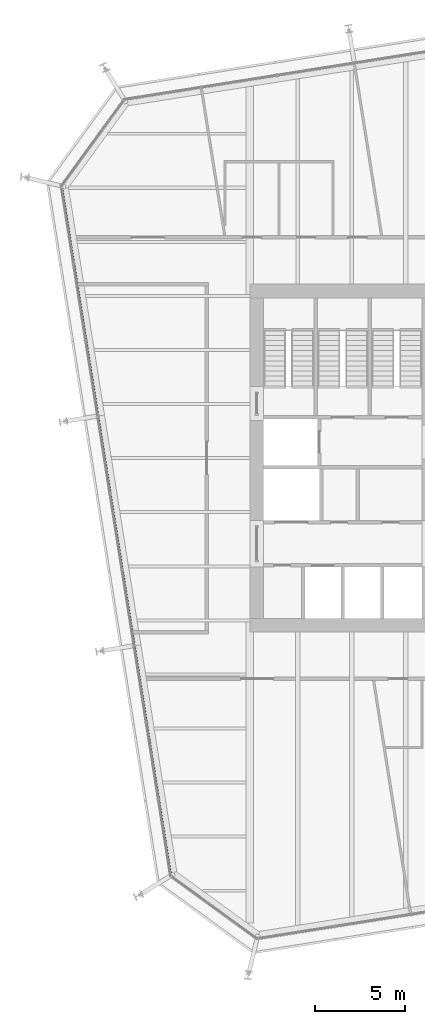
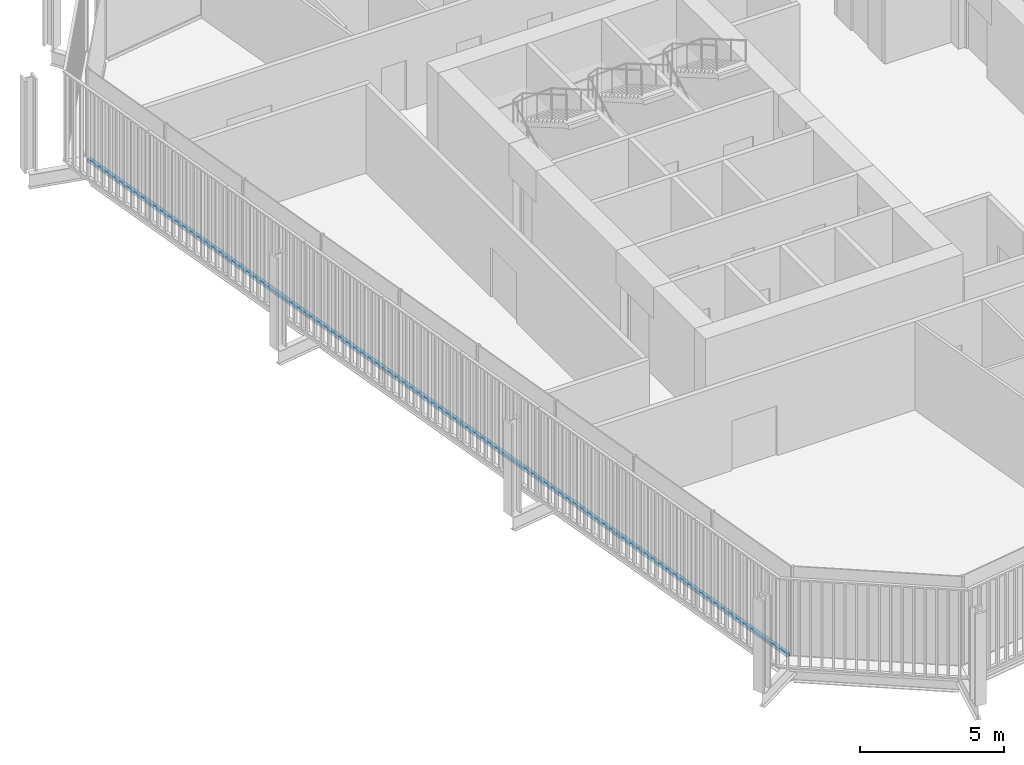
# One storey, part 5 of 21: 1 member, 1 element without a shape of its own.
"""IFC4 building model written with IfcOpenShell, lengths in metres."""

from ifc_helpers import new_model, si_unit, direction, frame, origin, origin_2d, place, context, subcontext, project, spatial, rectangle, extrude, material, layer, layer_set, material_profile, profile_set, type_object, element, aggregate, save


model = new_model("IFC4")

# Units and contexts
model_context = context("Model", 3, precision=1e-05, world=origin(), true_north=direction((0.0, 1.0)))
body_context = subcontext(model_context, "Body", "Model", "MODEL_VIEW")
ifc_project = project(units=[si_unit("LENGTHUNIT", "METRE"), si_unit("AREAUNIT", "SQUARE_METRE"), si_unit("VOLUMEUNIT", "CUBIC_METRE"), si_unit("PLANEANGLEUNIT", "RADIAN"), si_unit("MASSUNIT", "GRAM", prefix="KILO")], contexts=[model_context])

# Site, building, storey
site_placement = place(None, origin())
site = spatial("IfcSite", under=ifc_project, at=site_placement, CompositionType="ELEMENT")
building_placement = place(site_placement, origin())
building = spatial("IfcBuilding", under=site, at=building_placement, Name="Millrace Tower", CompositionType="ELEMENT")
storey_placement = place(building_placement, frame((0.0, 0.0, 183.89990234375)))
storey = spatial("IfcBuildingStorey", under=building, at=storey_placement, Name="L41", CompositionType="ELEMENT", Elevation=183.89990234375)

# Curtain wall, member
ifc_material_1 = material(Name="Aluminium and glass", Category="aluminium")
ifc_layer = layer(ifc_material_1, 0.14990234375)
ifc_layer_set = layer_set([ifc_layer], Name="Aluminium and glass")
curtain_wall_type = type_object("IfcCurtainWallType", Name="CW-1 office vision curtain wall", PredefinedType="NOTDEFINED", material=ifc_layer_set)
curtain_wall_placement = place(storey_placement, origin())
curtain_wall = element("IfcCurtainWall", 1, at=curtain_wall_placement, inside=storey, type_object=curtain_wall_type, Name="Curtain wall C-F08 L41", PredefinedType="NOTDEFINED")
ifc_material_2 = material(Name="Aluminium", Category="aluminium")
ifc_material_profile = material_profile(ifc_material_2, rectangle(XDim=0.14990234375, YDim=0.139892578125, at=origin_2d()))
ifc_profile_set = profile_set([ifc_material_profile], Name="Aluminium")
member_type = type_object("IfcMemberType", Name="CW-1 office vision curtain wall transom", PredefinedType="USERDEFINED", material=ifc_profile_set)
member_placement = place(storey_placement, frame((-25.09619140625, 14.97509765625, 0.070068359375), z_axis=(0.156433422663, -0.987688505691, 0.0), x_axis=(0.987688505691, 0.156433422663, 0.0)))
member = element("IfcMember", 2, at=member_placement, type_object=member_type, Name="CW1 transom C-F08.1", ObjectType="TRANSOM", PredefinedType="USERDEFINED", context=body_context, shape_type="SweptSolid", body=[
    extrude(rectangle(XDim=0.14990234375, YDim=0.139892578125, at=origin_2d()), origin(), (0.0, 0.0, 1.0), 38.5),
])
aggregate(curtain_wall, [member])

save(model, "model.ifc")
